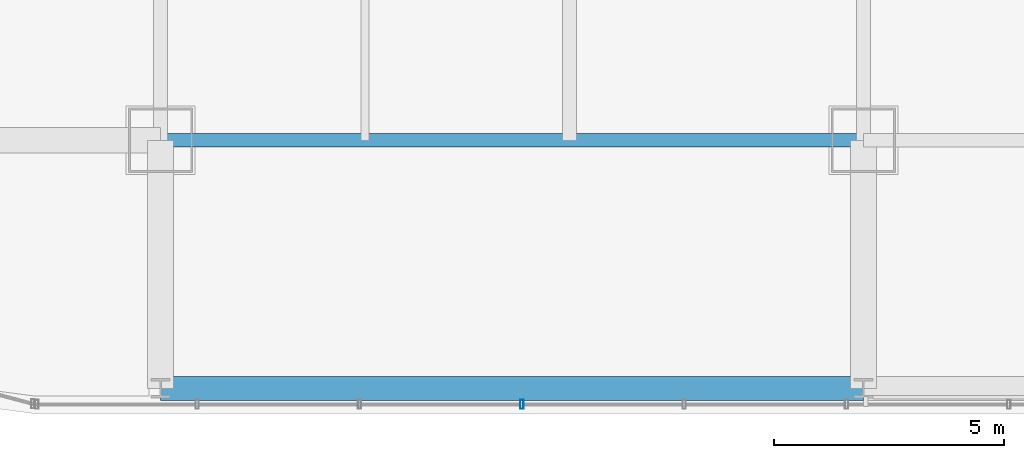
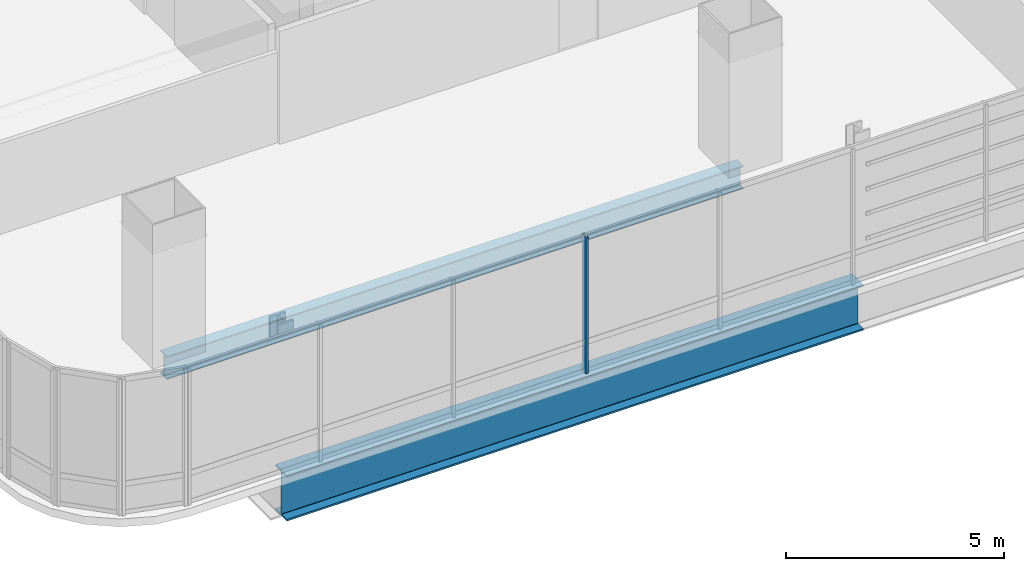
# One storey, part 3 of 36: 2 beams, 1 member, 1 element without a shape of its own.
"""IFC4 building model written with IfcOpenShell, lengths in metres."""

from ifc_helpers import new_model, si_unit, direction, frame, origin, origin_2d, place, context, subcontext, project, spatial, hollow_rectangle, i_section, extrude, material, material_profile, profile_set, type_object, element, aggregate, save


model = new_model("IFC4")

# Units and contexts
model_context = context("Model", 3, precision=1e-05, world=origin(), true_north=direction((0.0, 1.0)))
body_context = subcontext(model_context, "Body", "Model", "MODEL_VIEW")
ifc_project = project(units=[si_unit("LENGTHUNIT", "METRE"), si_unit("AREAUNIT", "SQUARE_METRE"), si_unit("VOLUMEUNIT", "CUBIC_METRE"), si_unit("PLANEANGLEUNIT", "RADIAN"), si_unit("MASSUNIT", "GRAM", prefix="KILO")], contexts=[model_context])

# Site, building, storey
site_placement = place(None, origin())
site = spatial("IfcSite", under=ifc_project, at=site_placement, CompositionType="ELEMENT")
building_placement = place(site_placement, origin())
building = spatial("IfcBuilding", under=site, at=building_placement, Name="Punatoya Terracotta Tower", CompositionType="ELEMENT")
storey_placement = place(building_placement, frame((0.0, 0.0, 184.35009765625)))
storey = spatial("IfcBuildingStorey", under=building, at=storey_placement, Name="L43", CompositionType="ELEMENT", Elevation=184.35009765625)

# Beams
ifc_material_1 = material(Name="Steel S355", Category="steel")
ifc_material_profile_1 = material_profile(ifc_material_1, i_section(OverallWidth=0.300048828125, OverallDepth=0.64990234375, WebThickness=0.01611328125, FlangeThickness=0.031005859375, FilletRadius=0.01806640625, at=origin_2d()))
ifc_profile_set_1 = profile_set([ifc_material_profile_1], Name="Steel S355")
beam_type_1 = type_object("IfcBeamType", Name="BM-PRI-650", PredefinedType="BEAM", material=ifc_profile_set_1)
beam_1_placement = place(storey_placement, frame((-19.10009765625, -17.5, -0.545166015625), z_axis=(1.0, 0.0, 0.0), x_axis=(0.0, 1.0, 0.0)))
element("IfcBeam", 1, at=beam_1_placement, inside=storey, type_object=beam_type_1, Name="BM-L43-RG-S1", PredefinedType="BEAM", context=body_context, shape_type="SweptSolid", body=[
    extrude(i_section(OverallWidth=0.300048828125, OverallDepth=0.64990234375, WebThickness=0.01611328125, FlangeThickness=0.031005859375, FilletRadius=0.01806640625, at=origin_2d()), origin(), (0.0, 0.0, 1.0), 15.300048828125),
])
ifc_material_2 = material(Name="Steel S460", Category="steel")
ifc_material_profile_2 = material_profile(ifc_material_2, i_section(OverallWidth=0.52001953125, OverallDepth=1.280029296875, WebThickness=0.031982421875, FlangeThickness=0.050048828125, FilletRadius=0.01806640625, at=origin_2d()))
ifc_profile_set_2 = profile_set([ifc_material_profile_2], Name="Steel S460")
beam_type_2 = type_object("IfcBeamType", Name="BM-TG-NCK", PredefinedType="BEAM", material=ifc_profile_set_2)
beam_2_placement = place(storey_placement, frame((-19.10009765625, -22.89990234375, -0.860107421875), z_axis=(1.0, 0.0, 0.0), x_axis=(0.0, 1.0, 0.0)))
element("IfcBeam", 2, at=beam_2_placement, inside=storey, type_object=beam_type_2, Name="BM-L43-PER-S1", PredefinedType="BEAM", context=body_context, shape_type="SweptSolid", body=[
    extrude(i_section(OverallWidth=0.52001953125, OverallDepth=1.280029296875, WebThickness=0.031982421875, FlangeThickness=0.050048828125, FilletRadius=0.01806640625, at=origin_2d()), origin(), (0.0, 0.0, 1.0), 15.300048828125),
])

# Curtain wall, member
ifc_material_3 = material(Name="Aluminium 6063-T6 + Double Low-E Glass", Category="aluminium")
curtain_wall_type = type_object("IfcCurtainWallType", Name="CW-M2", PredefinedType="NOTDEFINED", material=ifc_material_3)
curtain_wall_placement = place(storey_placement, origin())
curtain_wall = element("IfcCurtainWall", 3, at=curtain_wall_placement, inside=storey, type_object=curtain_wall_type, Name="L43 Curtain Wall CW-L43-S01-1", PredefinedType="NOTDEFINED")
ifc_material_4 = material(Name="Aluminium 6063-T6", Category="aluminium")
ifc_material_profile_3 = material_profile(ifc_material_4, hollow_rectangle(XDim=0.072021484375, YDim=0.195068359375, WallThickness=0.00439453125, at=origin_2d()))
ifc_profile_set_3 = profile_set([ifc_material_profile_3], Name="Aluminium 6063-T6")
member_type = type_object("IfcMemberType", Name="CW-MUL-M2", PredefinedType="MULLION", material=ifc_profile_set_3)
member_placement = place(storey_placement, frame((-11.235107421875, -23.25, 0.0), z_axis=(0.0, 0.0, 1.0), x_axis=(1.0, 0.0, 0.0)))
member = element("IfcMember", 4, at=member_placement, type_object=member_type, Name="CW-L43-S01-1 Mullion 03", PredefinedType="MULLION", context=body_context, shape_type="SweptSolid", body=[
    extrude(hollow_rectangle(XDim=0.072021484375, YDim=0.195068359375, WallThickness=0.00439453125, at=origin_2d()), origin(), (0.0, 0.0, 1.0), 3.829833984375),
])
aggregate(curtain_wall, [member])

save(model, "model.ifc")
